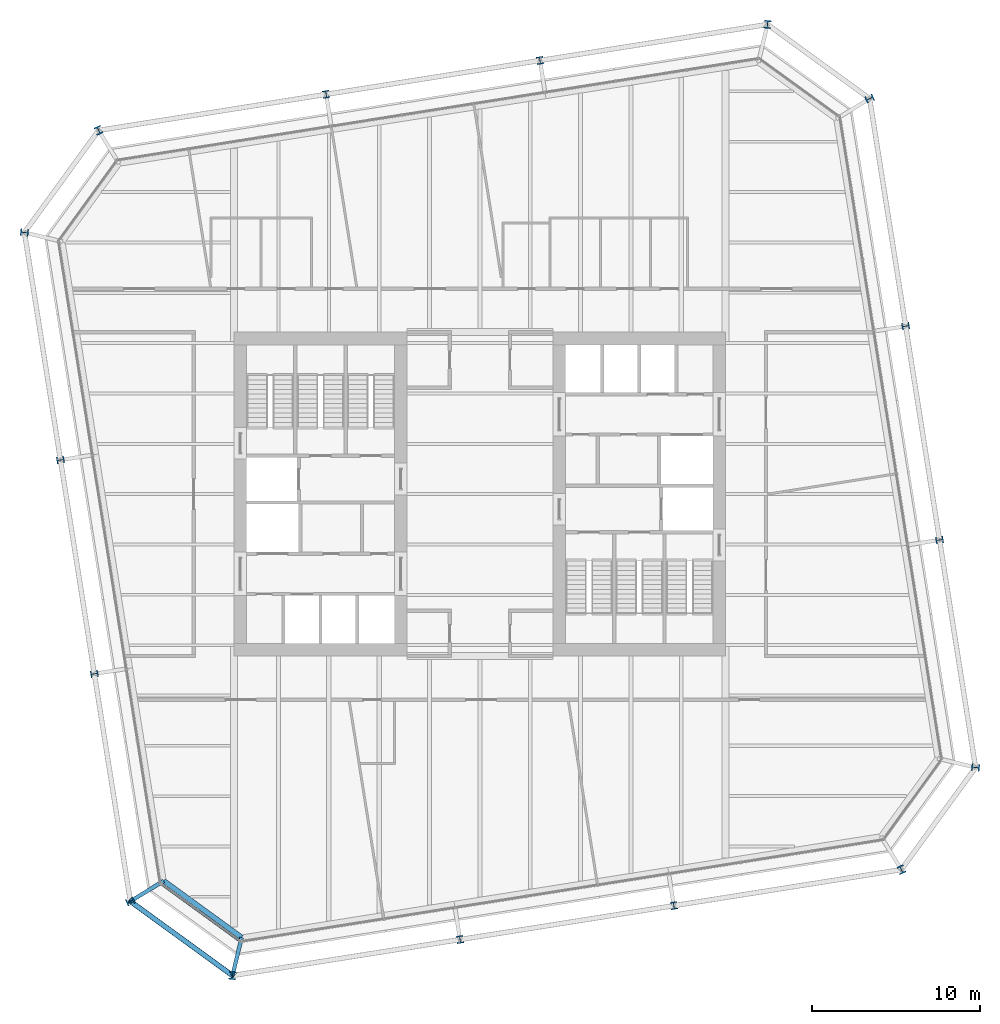
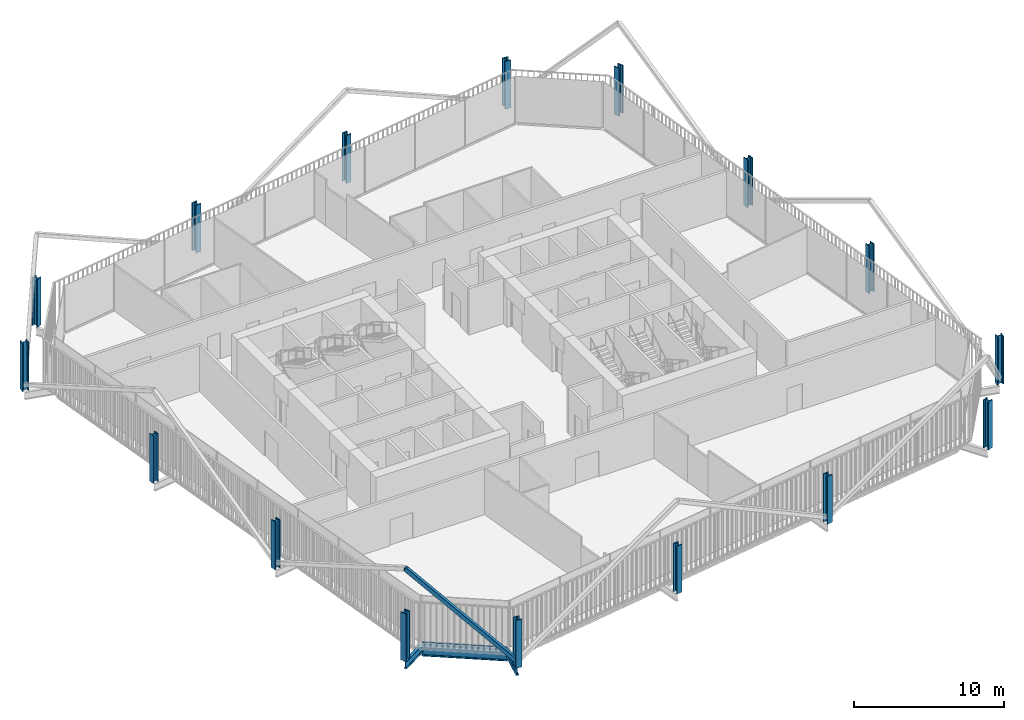
# One storey, part 1 of 22: 16 columns, 3 beams, 2 members, 1 element without a shape of its own.
"""IFC4 building model written with IfcOpenShell, lengths in metres."""

from ifc_helpers import new_model, si_unit, direction, frame, origin, origin_2d, place, context, subcontext, project, spatial, rectangle, hollow_rectangle, i_section, extrude, material, layer, layer_set, material_profile, profile_set, type_object, element, aggregate, save


model = new_model("IFC4")

# Units and contexts
model_context = context("Model", 3, precision=1e-05, world=origin(), true_north=direction((0.0, 1.0)))
body_context = subcontext(model_context, "Body", "Model", "MODEL_VIEW")
ifc_project = project(units=[si_unit("LENGTHUNIT", "METRE"), si_unit("AREAUNIT", "SQUARE_METRE"), si_unit("VOLUMEUNIT", "CUBIC_METRE"), si_unit("PLANEANGLEUNIT", "RADIAN"), si_unit("MASSUNIT", "GRAM", prefix="KILO")], contexts=[model_context])

# Site, building, storey
site_placement = place(None, origin())
site = spatial("IfcSite", under=ifc_project, at=site_placement, CompositionType="ELEMENT")
building_placement = place(site_placement, origin())
building = spatial("IfcBuilding", under=site, at=building_placement, Name="Millrace Tower", CompositionType="ELEMENT")
storey_placement = place(building_placement, frame((0.0, 0.0, 187.800048828125)))
storey = spatial("IfcBuildingStorey", under=building, at=storey_placement, Name="L42", CompositionType="ELEMENT", Elevation=187.800048828125)

# Columns
ifc_material_1 = material(Name="Steel ASTM A913 Grade 65", Category="steel")
ifc_material_profile_1 = material_profile(ifc_material_1, i_section(OverallWidth=0.419189453125, OverallDepth=0.45458984375, WebThickness=0.042236328125, FlangeThickness=0.067626953125, FilletRadius=0.01513671875, at=origin_2d()))
ifc_profile_set_1 = profile_set([ifc_material_profile_1], Name="Steel ASTM A913 Grade 65")
column_type_1 = type_object("IfcColumnType", Name="Exoskeleton column W14x370", PredefinedType="COLUMN", material=ifc_profile_set_1)
for number, where, z_axis, x_axis, name in (
    (1, (-1.181396484375, -26.545166015625, 0.0), (0.0, 0.0, 1.0), (0.987688339156, 0.156434474125, 0.0), "COL-C-L42-X03"),
    (2, (11.5595703125, -24.527099609375, 0.0), (0.0, 0.0, 1.0), (0.987688338239, 0.156434479917, 0.0), "COL-C-L42-X04"),
    (3, (27.39501953125, -2.7314453125, 0.0), (0.0, 0.0, 1.0), (-0.156434474125, 0.987688339156, 0.0), "COL-C-L42-X07"),
    (4, (25.376953125, 10.009765625, 0.0), (0.0, 0.0, 1.0), (-0.156434479917, 0.987688338239, 0.0), "COL-C-L42-X08"),
    (5, (3.58154296875, 25.844970703125, 0.0), (0.0, 0.0, 1.0), (-0.987688339156, -0.156434474125, 0.0), "COL-C-L42-X11"),
    (6, (-9.15966796875, 23.8271484375, 0.0), (0.0, 0.0, 1.0), (-0.987688338239, -0.156434479917, 0.0), "COL-C-L42-X12"),
    (7, (-24.9951171875, 2.031494140625, 0.0), (0.0, 0.0, 1.0), (0.156434474125, -0.987688339156, 0.0), "COL-C-L42-X15"),
    (8, (-22.97705078125, -10.709716796875, 0.0), (0.0, 0.0, 1.0), (0.156434479917, -0.987688338239, 0.0), "COL-C-L42-X16"),
):
    element("IfcColumn", number, at=place(storey_placement, frame(where, z_axis=z_axis, x_axis=x_axis)), inside=storey, type_object=column_type_1, Name=name, PredefinedType="COLUMN", context=body_context, shape_type="SweptSolid", body=[
        extrude(i_section(OverallWidth=0.419189453125, OverallDepth=0.45458984375, WebThickness=0.042236328125, FlangeThickness=0.067626953125, FilletRadius=0.01513671875, at=origin_2d()), origin(), (0.0, 0.0, 1.0), 3.89990234375),
    ])
ifc_material_2 = material(Name="Steel ASTM A913 Grade 65", Category="steel")
ifc_material_profile_2 = material_profile(ifc_material_2, i_section(OverallWidth=0.4267578125, OverallDepth=0.482666015625, WebThickness=0.05126953125, FlangeThickness=0.08154296875, FilletRadius=0.01513671875, at=origin_2d()))
ifc_profile_set_2 = profile_set([ifc_material_profile_2], Name="Steel ASTM A913 Grade 65")
column_type_2 = type_object("IfcColumnType", Name="Exoskeleton column W14x455", PredefinedType="COLUMN", material=ifc_profile_set_2)
for number, where, z_axis, x_axis, name in (
    (9, (-20.829345703125, -24.26904296875, 0.0), (0.0, 0.0, 1.0), (0.416401106568, -0.909181015227, 0.0), "COL-C-L42-X01"),
    (10, (-14.740966796875, -28.692626953125, 0.0), (0.0, 0.0, 1.0), (0.993357548409, -0.115068592665, 0.0), "COL-C-L42-X02"),
    (11, (25.119140625, -22.37939453125, 0.0), (0.0, 0.0, 1.0), (0.909181015227, 0.416401106568, 0.0), "COL-C-L42-X05"),
    (12, (29.542724609375, -16.291015625, 0.0), (0.0, 0.0, 1.0), (0.115068592665, 0.993357548409, 0.0), "COL-C-L42-X06"),
    (13, (23.2294921875, 23.569091796875, 0.0), (0.0, 0.0, 1.0), (-0.416401106568, 0.909181015227, 0.0), "COL-C-L42-X09"),
    (14, (17.140869140625, 27.99267578125, 0.0), (0.0, 0.0, 1.0), (-0.993357548409, 0.115068592665, 0.0), "COL-C-L42-X10"),
    (15, (-22.718994140625, 21.679443359375, 0.0), (0.0, 0.0, 1.0), (-0.909181015227, -0.416401106568, 0.0), "COL-C-L42-X13"),
    (16, (-27.142578125, 15.5908203125, 0.0), (0.0, 0.0, 1.0), (-0.115068592665, -0.993357548409, 0.0), "COL-C-L42-X14"),
):
    element("IfcColumn", number, at=place(storey_placement, frame(where, z_axis=z_axis, x_axis=x_axis)), inside=storey, type_object=column_type_2, Name=name, PredefinedType="COLUMN", context=body_context, shape_type="SweptSolid", body=[
        extrude(i_section(OverallWidth=0.4267578125, OverallDepth=0.482666015625, WebThickness=0.05126953125, FlangeThickness=0.08154296875, FilletRadius=0.01513671875, at=origin_2d()), origin(), (0.0, 0.0, 1.0), 3.89990234375),
    ])

# Curtain wall, member
ifc_material_3 = material(Name="Aluminium and glass", Category="aluminium")
ifc_layer = layer(ifc_material_3, 0.14990234375)
ifc_layer_set = layer_set([ifc_layer], Name="Aluminium and glass")
curtain_wall_type = type_object("IfcCurtainWallType", Name="CW-1 office vision curtain wall", PredefinedType="NOTDEFINED", material=ifc_layer_set)
curtain_wall_placement = place(storey_placement, origin())
curtain_wall = element("IfcCurtainWall", 17, at=curtain_wall_placement, inside=storey, type_object=curtain_wall_type, Name="Curtain wall C-F01 L42", PredefinedType="NOTDEFINED")
ifc_material_4 = material(Name="Aluminium", Category="aluminium")
ifc_material_profile_3 = material_profile(ifc_material_4, rectangle(XDim=0.14990234375, YDim=0.139892578125, at=origin_2d()))
ifc_profile_set_3 = profile_set([ifc_material_profile_3], Name="Aluminium")
member_type_1 = type_object("IfcMemberType", Name="CW-1 office vision curtain wall transom", PredefinedType="USERDEFINED", material=ifc_profile_set_3)
member_1_placement = place(storey_placement, frame((-18.94677734375, -23.25732421875, 0.070068359375), z_axis=(0.808998591139, -0.587810581339, 0.0), x_axis=(0.587810581339, 0.808998591139, 0.0)))
member_1 = element("IfcMember", 18, at=member_1_placement, type_object=member_type_1, Name="CW1 transom C-F01.1", ObjectType="TRANSOM", PredefinedType="USERDEFINED", context=body_context, shape_type="SweptSolid", body=[
    extrude(rectangle(XDim=0.14990234375, YDim=0.139892578125, at=origin_2d()), origin(), (0.0, 0.0, 1.0), 5.6689453125),
])
aggregate(curtain_wall, [member_1])

# Member
ifc_material_5 = material(Name="Steel ASTM A500 Grade C", Category="steel")
ifc_material_profile_4 = material_profile(ifc_material_5, hollow_rectangle(XDim=0.3046875, YDim=0.3046875, WallThickness=0.0126953125, InnerFilletRadius=0.00634765625, OuterFilletRadius=0.01904296875, at=origin_2d()))
ifc_profile_set_4 = profile_set([ifc_material_profile_4], Name="Steel ASTM A500 Grade C")
member_type_2 = type_object("IfcMemberType", Name="Exoskeleton brace HSS12x12x1/2", PredefinedType="BRACE", material=ifc_profile_set_4)
member_2_placement = place(storey_placement, frame((-14.740966796875, -28.692626953125, 0.39990234375), z_axis=(-0.592372334541, 0.430395153162, 0.681069034243), x_axis=(-0.587795495726, -0.809009551985, 0.0)))
element("IfcMember", 19, at=member_2_placement, inside=storey, type_object=member_type_2, Name="BRC-C-L42-01", PredefinedType="BRACE", context=body_context, shape_type="SweptSolid", body=[
    extrude(hollow_rectangle(XDim=0.3046875, YDim=0.3046875, WallThickness=0.0126953125, InnerFilletRadius=0.00634765625, OuterFilletRadius=0.01904296875, at=origin_2d()), origin(), (0.0, 0.0, 1.0), 10.278076171875),
])

# Beams
ifc_material_6 = material(Name="Steel ASTM A992 Grade 50", Category="steel")
ifc_material_profile_5 = material_profile(ifc_material_6, i_section(OverallWidth=0.23046875, OverallDepth=0.6171875, WebThickness=0.01318359375, FlangeThickness=0.022216796875, FilletRadius=0.012939453125, at=origin_2d()))
ifc_profile_set_5 = profile_set([ifc_material_profile_5], Name="Steel ASTM A992 Grade 50")
beam_type_1 = type_object("IfcBeamType", Name="Link beam W24x94", PredefinedType="BEAM", material=ifc_profile_set_5)
for number, where, z_axis, x_axis, name in (
    (20, (-18.841796875, -23.051025390625, -0.46875), (-0.852631355792, -0.522512938711, 0.0), (0.522512938711, -0.852631355792, 0.0), "LNK-C-L42-S1-01"),
    (21, (-14.19677734375, -26.426025390625, -0.46875), (-0.233456138164, -0.972367333652, 0.0), (0.972367333652, -0.233456138164, 0.0), "LNK-C-L42-S1-16"),
):
    element("IfcBeam", number, at=place(storey_placement, frame(where, z_axis=z_axis, x_axis=x_axis)), inside=storey, type_object=beam_type_1, Name=name, PredefinedType="BEAM", context=body_context, shape_type="SweptSolid", body=[
        extrude(i_section(OverallWidth=0.23046875, OverallDepth=0.6171875, WebThickness=0.01318359375, FlangeThickness=0.022216796875, FilletRadius=0.012939453125, at=origin_2d()), origin(), (0.0, 0.0, 1.0), 2.3310546875),
    ])
ifc_material_7 = material(Name="Steel ASTM A992 Grade 50", Category="steel")
ifc_material_profile_6 = material_profile(ifc_material_7, i_section(OverallWidth=0.307373046875, OverallDepth=0.927001953125, WebThickness=0.01953125, FlangeThickness=0.031982421875, FilletRadius=0.01904296875, at=origin_2d()))
ifc_profile_set_6 = profile_set([ifc_material_profile_6], Name="Steel ASTM A992 Grade 50")
beam_type_2 = type_object("IfcBeamType", Name="Ring beam short span W36x194", PredefinedType="SPANDREL", material=ifc_profile_set_6)
beam_placement = place(storey_placement, frame((-14.19677734375, -26.426025390625, -0.62353515625), z_axis=(-0.80900078054, 0.587807568074, 0.0), x_axis=(-0.587807568074, -0.80900078054, 0.0)))
element("IfcBeam", 22, at=beam_placement, inside=storey, type_object=beam_type_2, Name="RNG-C-L42-S1-16", PredefinedType="SPANDREL", context=body_context, shape_type="SweptSolid", body=[
    extrude(i_section(OverallWidth=0.307373046875, OverallDepth=0.927001953125, WebThickness=0.01953125, FlangeThickness=0.031982421875, FilletRadius=0.01904296875, at=origin_2d()), origin(), (0.0, 0.0, 1.0), 5.74169921875),
])

save(model, "model.ifc")
